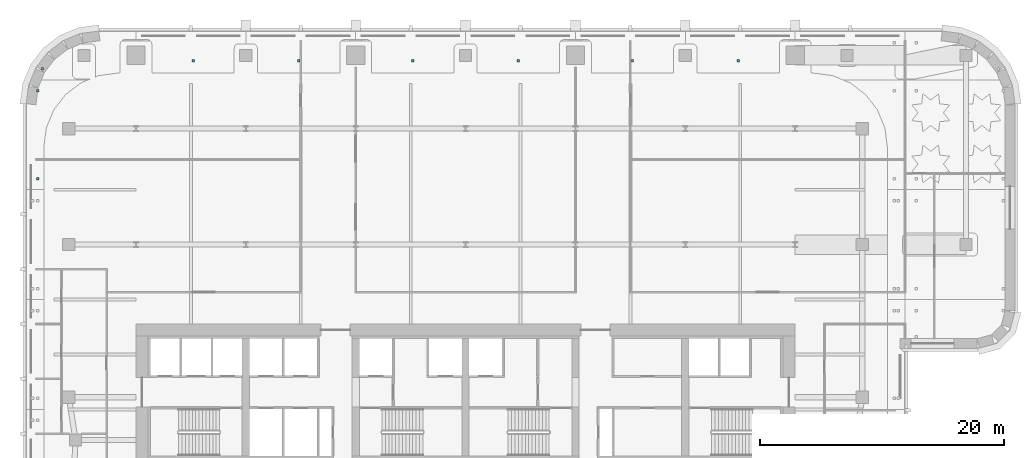
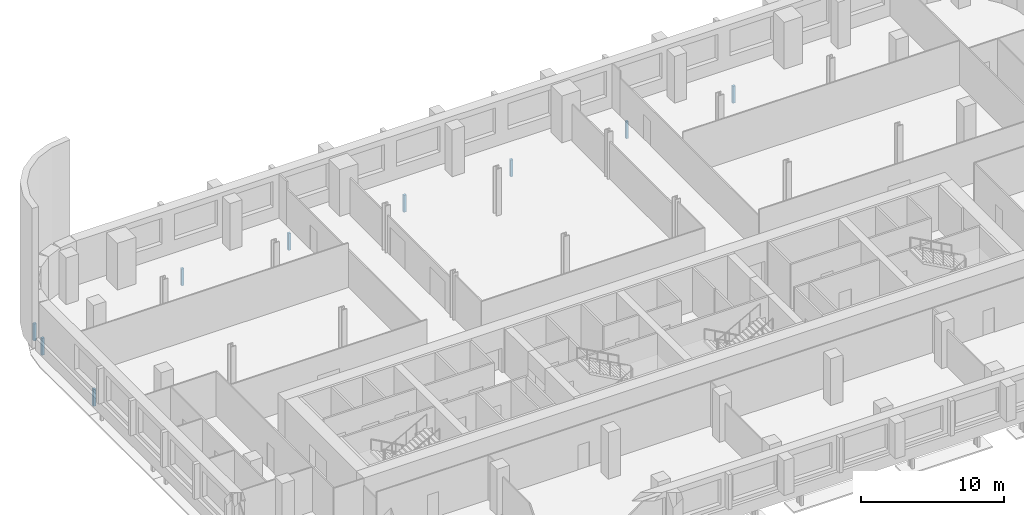
# One storey, part 9 of 13: 9 discrete accessories.
"""IFC4 building model written with IfcOpenShell, lengths in metres."""

from ifc_helpers import new_model, si_unit, direction, frame, origin, origin_2d, place, context, subcontext, project, spatial, rectangle, extrude, material, type_object, element, save


model = new_model("IFC4")

# Units and contexts
model_context = context("Model", 3, precision=1e-05, world=origin(), true_north=direction((0.0, 1.0)))
body_context = subcontext(model_context, "Body", "Model", "MODEL_VIEW")
ifc_project = project(units=[si_unit("LENGTHUNIT", "METRE"), si_unit("AREAUNIT", "SQUARE_METRE"), si_unit("VOLUMEUNIT", "CUBIC_METRE"), si_unit("PLANEANGLEUNIT", "RADIAN"), si_unit("MASSUNIT", "GRAM", prefix="KILO")], contexts=[model_context])

# Site, building, storey
site_placement = place(None, origin())
site = spatial("IfcSite", under=ifc_project, at=site_placement, CompositionType="ELEMENT")
building_placement = place(site_placement, origin())
building = spatial("IfcBuilding", under=site, at=building_placement, Name="Zellij Exchange Tower", CompositionType="ELEMENT")
storey_placement = place(building_placement, frame((0.0, 0.0, 108.5)))
storey = spatial("IfcBuildingStorey", under=building, at=storey_placement, Name="L23", CompositionType="ELEMENT", Elevation=108.5)

# Discrete accessories
ifc_material = material(Name="Stainless steel", Category="steel")
discrete_accessory_type = type_object("IfcDiscreteAccessoryType", Name="ENV-BR1 Stone panel bracket 200", PredefinedType="USERDEFINED", material=ifc_material)
for number, where, z_axis, x_axis, name in (
    (1, (-35.050048828125, 9.89990234375, -1.64990234375), (0.0, 0.0, 1.0), (1.0, 0.0, 0.0), "Panel bracket"),
    (2, (-35.050048828125, 17.10009765625, -1.64990234375), (0.0, 0.0, 1.0), (1.0, 0.0, 0.0), "Panel bracket"),
    (3, (-34.65625, 18.89990234375, -1.64990234375), (0.0, 0.0, 1.0), (1.0, 0.0, 0.0), "Panel bracket"),
    (4, (-22.324951171875, 19.550048828125, -1.64990234375), (0.0, 0.0, 1.0), (1.0, 0.0, 0.0), "Panel bracket"),
    (5, (-13.675048828125, 19.550048828125, -1.64990234375), (0.0, 0.0, 1.0), (1.0, 0.0, 0.0), "Panel bracket"),
    (6, (-4.324951171875, 19.550048828125, -1.64990234375), (0.0, 0.0, 1.0), (1.0, 0.0, 0.0), "Panel bracket"),
    (7, (4.324951171875, 19.550048828125, -1.64990234375), (0.0, 0.0, 1.0), (1.0, 0.0, 0.0), "Panel bracket"),
    (8, (13.675048828125, 19.550048828125, -1.64990234375), (0.0, 0.0, 1.0), (1.0, 0.0, 0.0), "Panel bracket"),
    (9, (22.324951171875, 19.550048828125, -1.64990234375), (0.0, 0.0, 1.0), (1.0, 0.0, 0.0), "Panel bracket"),
):
    element("IfcDiscreteAccessory", number, at=place(storey_placement, frame(where, z_axis=z_axis, x_axis=x_axis)), inside=storey, type_object=discrete_accessory_type, Name=name, ObjectType="BRACKET", PredefinedType="USERDEFINED", context=body_context, shape_type="SweptSolid", body=[
        extrude(rectangle(XDim=0.199951171875, YDim=0.199951171875, at=origin_2d()), origin(), (0.0, 0.0, 1.0), 1.449951171875),
    ])

save(model, "model.ifc")
